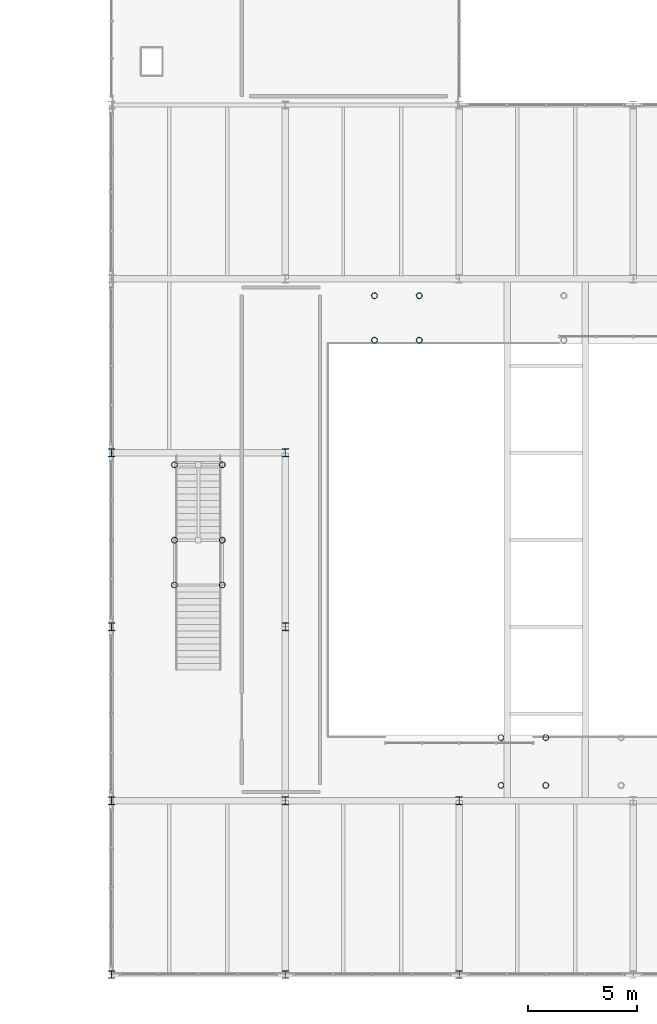
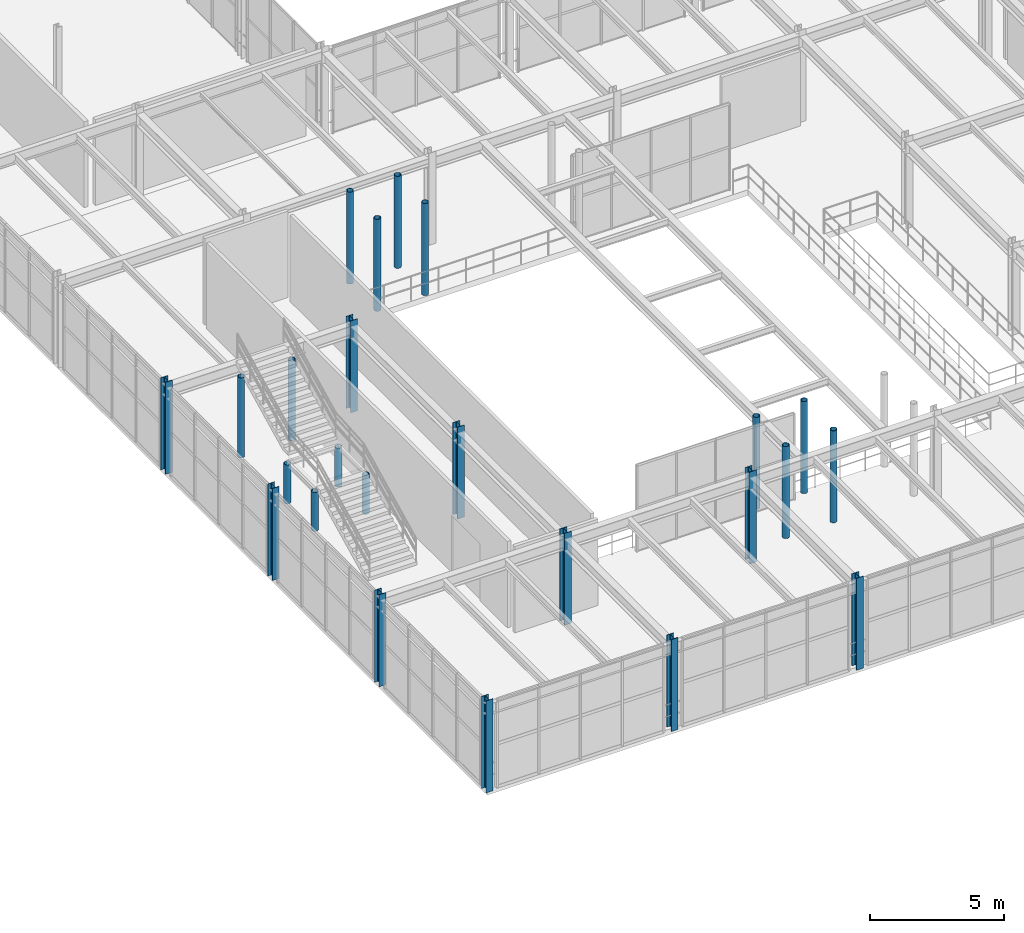
# One storey, part 2 of 122: 24 columns.
"""IFC4 building model written with IfcOpenShell, lengths in metres."""

from ifc_helpers import new_model, si_unit, direction, frame, origin, origin_2d, place, context, subcontext, project, spatial, hollow_circle, i_section, extrude, material, material_profile, profile_set, type_object, element, save


model = new_model("IFC4")

# Units and contexts
model_context = context("Model", 3, precision=1e-05, world=origin(), true_north=direction((0.0, 1.0)))
body_context = subcontext(model_context, "Body", "Model", "MODEL_VIEW")
ifc_project = project(units=[si_unit("LENGTHUNIT", "METRE"), si_unit("AREAUNIT", "SQUARE_METRE"), si_unit("VOLUMEUNIT", "CUBIC_METRE"), si_unit("PLANEANGLEUNIT", "RADIAN"), si_unit("MASSUNIT", "GRAM", prefix="KILO")], contexts=[model_context])

# Site, building, storey
site_placement = place(None, origin())
site = spatial("IfcSite", under=ifc_project, at=site_placement, CompositionType="ELEMENT")
building_placement = place(site_placement, origin())
building = spatial("IfcBuilding", under=site, at=building_placement, Name="Sundkrona Museum", CompositionType="ELEMENT")
storey_placement = place(building_placement, frame((0.0, 0.0, 5.39990234375)))
storey = spatial("IfcBuildingStorey", under=building, at=storey_placement, Name="L01", CompositionType="ELEMENT", Elevation=5.39990234375)

# Columns
ifc_material = material(Name="Steel S355J2", Category="steel")
ifc_material_profile_1 = material_profile(ifc_material, hollow_circle(Radius=0.136474609375, WallThickness=0.012451171875, at=origin_2d()), Name="CHS 273.0x12.5")
ifc_profile_set_1 = profile_set([ifc_material_profile_1], Name="Steel S355J2")
column_type_1 = type_object("IfcColumnType", Name="C-CHS273", PredefinedType="COLUMN", material=ifc_profile_set_1)
for number, where, z_axis, x_axis, name in (
    (1, (85.10009765625, 17.919921875, 0.0), (0.0, 0.0, 1.0), (1.0, 0.0, 0.0), "L01 Feature Stair FS-2 Column S1-1"),
    (2, (82.89990234375, 17.919921875, 0.0), (0.0, 0.0, 1.0), (1.0, 0.0, 0.0), "L01 Feature Stair FS-2 Column S1-2"),
    (3, (85.10009765625, 19.97998046875, 0.0), (0.0, 0.0, 1.0), (1.0, 0.0, 0.0), "L01 Feature Stair FS-2 Column S2-1"),
    (4, (82.89990234375, 19.97998046875, 0.0), (0.0, 0.0, 1.0), (1.0, 0.0, 0.0), "L01 Feature Stair FS-2 Column S2-2"),
):
    element("IfcColumn", number, at=place(storey_placement, frame(where, z_axis=z_axis, x_axis=x_axis)), inside=storey, type_object=column_type_1, Name=name, PredefinedType="COLUMN", context=body_context, shape_type="SweptSolid", body=[
        extrude(hollow_circle(Radius=0.136474609375, WallThickness=0.012451171875, at=origin_2d()), origin(), (0.0, 0.0, 1.0), 1.780029296875),
    ])
for number, where, z_axis, x_axis, name in (
    (5, (85.10009765625, 23.449951171875, 0.0), (0.0, 0.0, 1.0), (1.0, 0.0, 0.0), "L01 Feature Stair FS-2 Column S3-1"),
    (6, (82.89990234375, 23.449951171875, 0.0), (0.0, 0.0, 1.0), (1.0, 0.0, 0.0), "L01 Feature Stair FS-2 Column S3-2"),
):
    element("IfcColumn", number, at=place(storey_placement, frame(where, z_axis=z_axis, x_axis=x_axis)), inside=storey, type_object=column_type_1, Name=name, PredefinedType="COLUMN", context=body_context, shape_type="SweptSolid", body=[
        extrude(hollow_circle(Radius=0.136474609375, WallThickness=0.012451171875, at=origin_2d()), origin(), (0.0, 0.0, 1.0), 3.66015625),
    ])
for number, where, z_axis, x_axis, name in (
    (7, (92.10009765625, 29.175048828125, 0.0), (0.0, 0.0, 1.0), (1.0, 0.0, 0.0), "L01 Feature Stair FS-3 Column S1-1"),
    (8, (92.10009765625, 31.22509765625, 0.0), (0.0, 0.0, 1.0), (1.0, 0.0, 0.0), "L01 Feature Stair FS-3 Column S1-2"),
    (9, (94.159912109375, 29.175048828125, 0.0), (0.0, 0.0, 1.0), (1.0, 0.0, 0.0), "L01 Feature Stair FS-3 Column S2-1"),
    (10, (94.159912109375, 31.22509765625, 0.0), (0.0, 0.0, 1.0), (1.0, 0.0, 0.0), "L01 Feature Stair FS-3 Column S2-2"),
    (11, (97.919921875, 8.699951171875, 0.0), (0.0, 0.0, 1.0), (1.0, 0.0, 0.0), "L01 Feature Stair FS-4 Column S1-1"),
    (12, (97.919921875, 10.89990234375, 0.0), (0.0, 0.0, 1.0), (1.0, 0.0, 0.0), "L01 Feature Stair FS-4 Column S1-2"),
    (13, (99.97998046875, 8.699951171875, 0.0), (0.0, 0.0, 1.0), (1.0, 0.0, 0.0), "L01 Feature Stair FS-4 Column S2-1"),
    (14, (99.97998046875, 10.89990234375, 0.0), (0.0, 0.0, 1.0), (1.0, 0.0, 0.0), "L01 Feature Stair FS-4 Column S2-2"),
):
    element("IfcColumn", number, at=place(storey_placement, frame(where, z_axis=z_axis, x_axis=x_axis)), inside=storey, type_object=column_type_1, Name=name, PredefinedType="COLUMN", context=body_context, shape_type="SweptSolid", body=[
        extrude(hollow_circle(Radius=0.136474609375, WallThickness=0.012451171875, at=origin_2d()), origin(), (0.0, 0.0, 1.0), 4.2001953125),
    ])
ifc_material_profile_2 = material_profile(ifc_material, i_section(OverallWidth=0.300048828125, OverallDepth=0.360107421875, WebThickness=0.012451171875, FlangeThickness=0.0224609375, FilletRadius=0.027099609375, at=origin_2d()), Name="HEB 360")
ifc_profile_set_2 = profile_set([ifc_material_profile_2], Name="Steel S355J2")
column_type_2 = type_object("IfcColumnType", Name="C-HEB360", PredefinedType="COLUMN", material=ifc_profile_set_2)
for number, where, z_axis, x_axis, name in (
    (15, (80.0, 0.0, 0.0), (0.0, 0.0, 1.0), (1.0, 0.0, 0.0), "L01 Column A/11"),
    (16, (80.0, 8.0, 0.0), (0.0, 0.0, 1.0), (1.0, 0.0, 0.0), "L01 Column B/11"),
    (17, (80.0, 16.0, 0.0), (0.0, 0.0, 1.0), (1.0, 0.0, 0.0), "L01 Column C/11"),
    (18, (80.0, 24.0, 0.0), (0.0, 0.0, 1.0), (1.0, 0.0, 0.0), "L01 Column D/11"),
    (19, (88.0, 0.0, 0.0), (0.0, 0.0, 1.0), (1.0, 0.0, 0.0), "L01 Column A/12"),
    (20, (88.0, 8.0, 0.0), (0.0, 0.0, 1.0), (1.0, 0.0, 0.0), "L01 Column B/12"),
    (21, (88.0, 16.0, 0.0), (0.0, 0.0, 1.0), (1.0, 0.0, 0.0), "L01 Column C/12"),
    (22, (88.0, 24.0, 0.0), (0.0, 0.0, 1.0), (1.0, 0.0, 0.0), "L01 Column D/12"),
    (23, (96.0, 0.0, 0.0), (0.0, 0.0, 1.0), (1.0, 0.0, 0.0), "L01 Column A/13"),
    (24, (96.0, 8.0, 0.0), (0.0, 0.0, 1.0), (1.0, 0.0, 0.0), "L01 Column B/13"),
):
    element("IfcColumn", number, at=place(storey_placement, frame(where, z_axis=z_axis, x_axis=x_axis)), inside=storey, type_object=column_type_2, Name=name, PredefinedType="COLUMN", context=body_context, shape_type="SweptSolid", body=[
        extrude(i_section(OverallWidth=0.300048828125, OverallDepth=0.360107421875, WebThickness=0.012451171875, FlangeThickness=0.0224609375, FilletRadius=0.027099609375, at=origin_2d()), origin(), (0.0, 0.0, 1.0), 4.2001953125),
    ])

save(model, "model.ifc")
